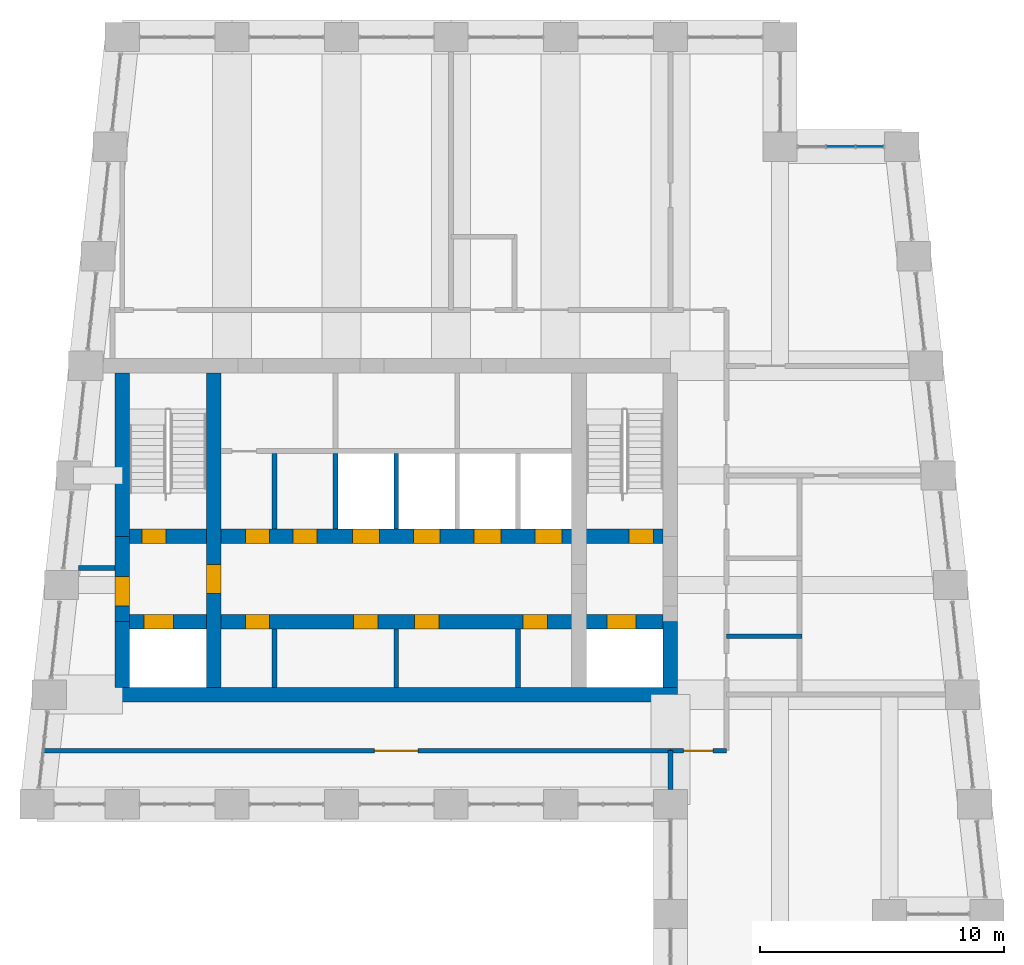
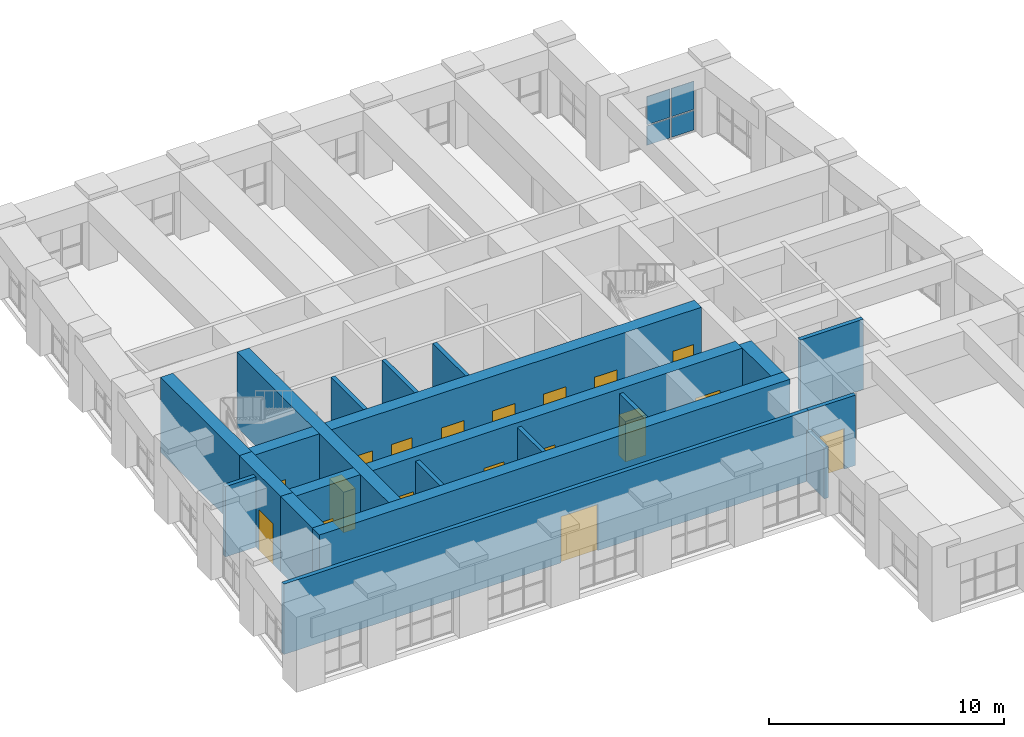
# One storey, part 15 of 18: 19 walls, 18 doors, 4 plates, 18 openings, 1 element without a shape of its own.
"""IFC4 building model written with IfcOpenShell, lengths in metres."""

from ifc_helpers import new_model, si_unit, direction, frame, frame_2d, origin, origin_2d, place, context, subcontext, project, spatial, rectangle, extrude, material, layer, layer_set, type_object, element, fill, aggregate, save


model = new_model("IFC4")

# Units and contexts
model_context = context("Model", 3, precision=1e-05, world=origin(), true_north=direction((0.0, 1.0)))
body_context = subcontext(model_context, "Body", "Model", "MODEL_VIEW")
ifc_project = project(units=[si_unit("LENGTHUNIT", "METRE"), si_unit("AREAUNIT", "SQUARE_METRE"), si_unit("VOLUMEUNIT", "CUBIC_METRE"), si_unit("PLANEANGLEUNIT", "RADIAN"), si_unit("MASSUNIT", "GRAM", prefix="KILO")], contexts=[model_context])

# Site, building, storey
site_placement = place(None, origin())
site = spatial("IfcSite", under=ifc_project, at=site_placement, CompositionType="ELEMENT")
building_placement = place(site_placement, origin())
building = spatial("IfcBuilding", under=site, at=building_placement, Name="Kilele Tower Hotel", CompositionType="ELEMENT")
storey_placement = place(building_placement, frame((0.0, 0.0, 281.89990234375)))
storey = spatial("IfcBuildingStorey", under=building, at=storey_placement, Name="L72", CompositionType="ELEMENT", Elevation=281.89990234375)

# Curtain wall, plates
ifc_material_1 = material(Name="Aluminium curtain wall, clear double glazing", Category="aluminium")
curtain_wall_type = type_object("IfcCurtainWallType", Name="Sky restaurant curtain wall CW-5", PredefinedType="NOTDEFINED", material=ifc_material_1)
curtain_wall_placement = place(storey_placement, origin())
curtain_wall = element("IfcCurtainWall", 1, at=curtain_wall_placement, inside=storey, type_object=curtain_wall_type, Name="Sky restaurant curtain wall CW-5 L72", PredefinedType="NOTDEFINED")
ifc_material_2 = material(Name="Clear double glazing", Category="glass")
ifc_layer_1 = layer(ifc_material_2, 0.028076171875)
ifc_layer_set_1 = layer_set([ifc_layer_1], Name="Clear double glazing")
plate_type = type_object("IfcPlateType", Name="Glazed panel 28 CW-5", PredefinedType="CURTAIN_PANEL", material=ifc_layer_set_1)
plate_1_placement = place(storey_placement, frame((44.18505859375, 36.0, 0.06005859375), z_axis=(0.0, 0.0, 1.0), x_axis=(-1.0, 0.0, 0.0)))
plate_1 = element("IfcPlate", 2, at=plate_1_placement, type_object=plate_type, Name="CW-5 panel 1.1", PredefinedType="CURTAIN_PANEL", context=body_context, shape_type="SweptSolid", body=[
    extrude(rectangle(XDim=1.110107421875, YDim=0.028076171875, at=origin_2d()), origin(), (0.0, 0.0, 1.0), 1.010009765625),
])
plate_2_placement = place(storey_placement, frame((44.18505859375, 36.0, 1.130126953125), z_axis=(0.0, 0.0, 1.0), x_axis=(-1.0, 0.0, 0.0)))
plate_2 = element("IfcPlate", 3, at=plate_2_placement, type_object=plate_type, Name="CW-5 panel 1.2", PredefinedType="CURTAIN_PANEL", context=body_context, shape_type="SweptSolid", body=[
    extrude(rectangle(XDim=1.110107421875, YDim=0.028076171875, at=origin_2d()), origin(), (0.0, 0.0, 1.0), 1.4599609375),
])
plate_3_placement = place(storey_placement, frame((43.0, 36.0, 0.06005859375), z_axis=(0.0, 0.0, 1.0), x_axis=(-1.0, 0.0, 0.0)))
plate_3 = element("IfcPlate", 4, at=plate_3_placement, type_object=plate_type, Name="CW-5 panel 2.1", PredefinedType="CURTAIN_PANEL", context=body_context, shape_type="SweptSolid", body=[
    extrude(rectangle(XDim=1.139892578125, YDim=0.028076171875, at=origin_2d()), origin(), (0.0, 0.0, 1.0), 1.010009765625),
])
plate_4_placement = place(storey_placement, frame((43.0, 36.0, 1.130126953125), z_axis=(0.0, 0.0, 1.0), x_axis=(-1.0, 0.0, 0.0)))
plate_4 = element("IfcPlate", 5, at=plate_4_placement, type_object=plate_type, Name="CW-5 panel 2.2", PredefinedType="CURTAIN_PANEL", context=body_context, shape_type="SweptSolid", body=[
    extrude(rectangle(XDim=1.139892578125, YDim=0.028076171875, at=origin_2d()), origin(), (0.0, 0.0, 1.0), 1.4599609375),
])
aggregate(curtain_wall, [plate_1, plate_2, plate_3, plate_4])

# Wall
ifc_material_3 = material(Name="Concrete C60/75", Category="concrete")
ifc_layer_2 = layer(ifc_material_3, 0.60009765625)
ifc_layer_set_2 = layer_set([ifc_layer_2], Name="Concrete C60/75")
wall_type_1 = type_object("IfcWallType", Name="Core wall 600 C60/75", PredefinedType="SHEAR", material=ifc_layer_set_2)
wall_1_placement = place(storey_placement, frame((13.199951171875, 13.5, 0.0), z_axis=(0.0, 0.0, 1.0), x_axis=(1.0, 0.0, 0.0)))
element("IfcWall", 6, at=wall_1_placement, inside=storey, type_object=wall_type_1, Name="Core wall S L72", PredefinedType="SHEAR", context=body_context, shape_type="SweptSolid", body=[
    extrude(rectangle(XDim=23.10009765625, YDim=0.60009765625, at=frame_2d((11.550048828125, 0.0))), origin(), (0.0, 0.0, 1.0), 3.900146484375),
])

# Wall, opening, door
wall_2_placement = place(storey_placement, frame((17.25, 13.800048828125, 0.0), z_axis=(0.0, 0.0, 1.0), x_axis=(0.0, 1.0, 0.0)))
wall_2 = element("IfcWall", 7, at=wall_2_placement, inside=storey, type_object=wall_type_1, Name="Core wall IW L72", PredefinedType="SHEAR", context=body_context, shape_type="SweptSolid", body=[
    extrude(rectangle(XDim=12.89990234375, YDim=0.60009765625, at=frame_2d((6.449951171875, 0.0))), origin(), (0.0, 0.0, 1.0), 3.900146484375),
])
opening_1_placement = place(wall_2_placement, frame((3.85009765625, 0.0, 0.0)))
opening_1 = element("IfcOpeningElement", 8, at=opening_1_placement, cuts=wall_2, Name="Opening D4", PredefinedType="OPENING", context=body_context, shape_type="SweptSolid", body=[
    extrude(rectangle(XDim=1.199951171875, YDim=2.10009765625, at=frame_2d((0.60009765625, 1.050048828125))), frame((0.0, 0.31005859375, 0.0), z_axis=(0.0, -1.0, 0.0), x_axis=(1.0, 0.0, 0.0)), (0.0, 0.0, 1.0), 0.6201171875),
])
ifc_material_4 = material(Name="Timber door leaf in hardwood frame", Category="wood")
door_type_1 = type_object("IfcDoorType", Name="Firefighting lobby door 1200", OperationType="SINGLE_SWING_LEFT", PredefinedType="DOOR", material=ifc_material_4)
door_1_placement = place(opening_1_placement, origin())
door_1 = element("IfcDoor", 9, at=door_1_placement, inside=storey, type_object=door_type_1, Name="Lobby door L72", OperationType="SINGLE_SWING_LEFT", OverallHeight=2.10009765625, OverallWidth=1.199951171875, PredefinedType="DOOR", context=body_context, shape_type="SweptSolid", body=[
    extrude(rectangle(XDim=1.199951171875, YDim=2.10009765625, at=frame_2d((0.60009765625, 1.050048828125))), frame((0.0, 0.2998046875, 0.0), z_axis=(0.0, -1.0, 0.0), x_axis=(1.0, 0.0, 0.0)), (0.0, 0.0, 1.0), 0.599609375),
])
fill(opening_1, door_1)

# Wall, openings, doors
wall_3_placement = place(storey_placement, frame((13.800048828125, 16.5, 0.0), z_axis=(0.0, 0.0, 1.0), x_axis=(1.0, 0.0, 0.0)))
wall_3 = element("IfcWall", 10, at=wall_3_placement, inside=storey, type_object=wall_type_1, Name="Core wall LS L72", PredefinedType="SHEAR", context=body_context, shape_type="SweptSolid", body=[
    extrude(rectangle(XDim=21.89990234375, YDim=0.60009765625, at=frame_2d((10.949951171875, 0.0))), origin(), (0.0, 0.0, 1.0), 3.900146484375),
])
opening_2_placement = place(wall_3_placement, frame((5.75, 0.0, 0.0), z_axis=(0.0, 0.0, 1.0), x_axis=(-1.0, 0.0, 0.0)))
opening_2 = element("IfcOpeningElement", 11, at=opening_2_placement, cuts=wall_3, Name="Opening D11", PredefinedType="OPENING", context=body_context, shape_type="SweptSolid", body=[
    extrude(rectangle(XDim=1.0, YDim=2.10009765625, at=frame_2d((0.5, 1.050048828125))), frame((0.0, 0.31005859375, 0.0), z_axis=(0.0, -1.0, 0.0), x_axis=(1.0, 0.0, 0.0)), (0.0, 0.0, 1.0), 0.6201171875),
])
opening_3_placement = place(wall_3_placement, frame((10.199951171875, 0.0, 0.0), z_axis=(0.0, 0.0, 1.0), x_axis=(-1.0, 0.0, 0.0)))
opening_3 = element("IfcOpeningElement", 12, at=opening_3_placement, cuts=wall_3, Name="Opening D11", PredefinedType="OPENING", context=body_context, shape_type="SweptSolid", body=[
    extrude(rectangle(XDim=1.0, YDim=2.10009765625, at=frame_2d((0.5, 1.050048828125))), frame((0.0, 0.31005859375, 0.0), z_axis=(0.0, -1.0, 0.0), x_axis=(1.0, 0.0, 0.0)), (0.0, 0.0, 1.0), 0.6201171875),
])
opening_4_placement = place(wall_3_placement, frame((12.699951171875, 0.0, 0.0), z_axis=(0.0, 0.0, 1.0), x_axis=(-1.0, 0.0, 0.0)))
opening_4 = element("IfcOpeningElement", 13, at=opening_4_placement, cuts=wall_3, Name="Opening D11", PredefinedType="OPENING", context=body_context, shape_type="SweptSolid", body=[
    extrude(rectangle(XDim=1.0, YDim=2.10009765625, at=frame_2d((0.5, 1.050048828125))), frame((0.0, 0.31005859375, 0.0), z_axis=(0.0, -1.0, 0.0), x_axis=(1.0, 0.0, 0.0)), (0.0, 0.0, 1.0), 0.6201171875),
])
opening_5_placement = place(wall_3_placement, frame((17.14990234375, 0.0, 0.0), z_axis=(0.0, 0.0, 1.0), x_axis=(-1.0, 0.0, 0.0)))
opening_5 = element("IfcOpeningElement", 14, at=opening_5_placement, cuts=wall_3, Name="Opening D11", PredefinedType="OPENING", context=body_context, shape_type="SweptSolid", body=[
    extrude(rectangle(XDim=1.0, YDim=2.10009765625, at=frame_2d((0.5, 1.050048828125))), frame((0.0, 0.31005859375, 0.0), z_axis=(0.0, -1.0, 0.0), x_axis=(1.0, 0.0, 0.0)), (0.0, 0.0, 1.0), 0.6201171875),
])
opening_6_placement = place(wall_3_placement, frame((0.60009765625, 0.0, 0.0)))
opening_6 = element("IfcOpeningElement", 15, at=opening_6_placement, cuts=wall_3, Name="Opening LD2", PredefinedType="OPENING", context=body_context, shape_type="SweptSolid", body=[
    extrude(rectangle(XDim=1.199951171875, YDim=2.10009765625, at=frame_2d((0.60009765625, 1.050048828125))), frame((0.0, 0.31005859375, 0.0), z_axis=(0.0, -1.0, 0.0), x_axis=(1.0, 0.0, 0.0)), (0.0, 0.0, 1.0), 0.6201171875),
])
opening_7_placement = place(wall_3_placement, frame((19.60009765625, 0.0, 0.0)))
opening_7 = element("IfcOpeningElement", 16, at=opening_7_placement, cuts=wall_3, Name="Opening LD2", PredefinedType="OPENING", context=body_context, shape_type="SweptSolid", body=[
    extrude(rectangle(XDim=1.199951171875, YDim=2.10009765625, at=frame_2d((0.60009765625, 1.050048828125))), frame((0.0, 0.31005859375, 0.0), z_axis=(0.0, -1.0, 0.0), x_axis=(1.0, 0.0, 0.0)), (0.0, 0.0, 1.0), 0.6201171875),
])
ifc_material_5 = material(Name="Timber door leaf in hardwood frame", Category="wood")
door_type_2 = type_object("IfcDoorType", Name="Core store door 1000", OperationType="SINGLE_SWING_LEFT", PredefinedType="DOOR", material=ifc_material_5)
door_2_placement = place(opening_2_placement, origin())
door_2 = element("IfcDoor", 17, at=door_2_placement, inside=storey, type_object=door_type_2, Name="Core room door L1 L72", OperationType="SINGLE_SWING_LEFT", OverallHeight=2.10009765625, OverallWidth=1.0, PredefinedType="DOOR", context=body_context, shape_type="SweptSolid", body=[
    extrude(rectangle(XDim=1.0, YDim=2.10009765625, at=frame_2d((0.5, 1.050048828125))), frame((0.0, 0.2998046875, 0.0), z_axis=(0.0, -1.0, 0.0), x_axis=(1.0, 0.0, 0.0)), (0.0, 0.0, 1.0), 0.599609375),
])
fill(opening_2, door_2)
door_3_placement = place(opening_3_placement, origin())
door_3 = element("IfcDoor", 18, at=door_3_placement, inside=storey, type_object=door_type_2, Name="Core room door L3 L72", OperationType="SINGLE_SWING_LEFT", OverallHeight=2.10009765625, OverallWidth=1.0, PredefinedType="DOOR", context=body_context, shape_type="SweptSolid", body=[
    extrude(rectangle(XDim=1.0, YDim=2.10009765625, at=frame_2d((0.5, 1.050048828125))), frame((0.0, 0.2998046875, 0.0), z_axis=(0.0, -1.0, 0.0), x_axis=(1.0, 0.0, 0.0)), (0.0, 0.0, 1.0), 0.599609375),
])
fill(opening_3, door_3)
door_4_placement = place(opening_4_placement, origin())
door_4 = element("IfcDoor", 19, at=door_4_placement, inside=storey, type_object=door_type_2, Name="Core room door M1 L72", OperationType="SINGLE_SWING_RIGHT", OverallHeight=2.10009765625, OverallWidth=1.0, PredefinedType="DOOR", context=body_context, shape_type="SweptSolid", body=[
    extrude(rectangle(XDim=1.0, YDim=2.10009765625, at=frame_2d((0.5, 1.050048828125))), frame((0.0, 0.2998046875, 0.0), z_axis=(0.0, -1.0, 0.0), x_axis=(1.0, 0.0, 0.0)), (0.0, 0.0, 1.0), 0.599609375),
])
fill(opening_4, door_4)
door_5_placement = place(opening_5_placement, origin())
door_5 = element("IfcDoor", 20, at=door_5_placement, inside=storey, type_object=door_type_2, Name="Core room door M3 L72", OperationType="SINGLE_SWING_RIGHT", OverallHeight=2.10009765625, OverallWidth=1.0, PredefinedType="DOOR", context=body_context, shape_type="SweptSolid", body=[
    extrude(rectangle(XDim=1.0, YDim=2.10009765625, at=frame_2d((0.5, 1.050048828125))), frame((0.0, 0.2998046875, 0.0), z_axis=(0.0, -1.0, 0.0), x_axis=(1.0, 0.0, 0.0)), (0.0, 0.0, 1.0), 0.599609375),
])
fill(opening_5, door_5)
ifc_material_6 = material(Name="Steel lift landing door", Category="steel")
door_type_3 = type_object("IfcDoorType", Name="Firefighting lift landing door 1200", OperationType="SLIDING_TO_LEFT", PredefinedType="DOOR", material=ifc_material_6)
door_6_placement = place(opening_6_placement, origin())
door_6 = element("IfcDoor", 21, at=door_6_placement, inside=storey, type_object=door_type_3, Name="Landing door FFW L72", OperationType="SLIDING_TO_LEFT", OverallHeight=2.10009765625, OverallWidth=1.199951171875, PredefinedType="DOOR", context=body_context, shape_type="SweptSolid", body=[
    extrude(rectangle(XDim=1.199951171875, YDim=2.10009765625, at=frame_2d((0.60009765625, 1.050048828125))), frame((0.0, 0.2998046875, 0.0), z_axis=(0.0, -1.0, 0.0), x_axis=(1.0, 0.0, 0.0)), (0.0, 0.0, 1.0), 0.599609375),
])
fill(opening_6, door_6)
door_7_placement = place(opening_7_placement, origin())
door_7 = element("IfcDoor", 22, at=door_7_placement, inside=storey, type_object=door_type_3, Name="Landing door FFE L72", OperationType="SLIDING_TO_LEFT", OverallHeight=2.10009765625, OverallWidth=1.199951171875, PredefinedType="DOOR", context=body_context, shape_type="SweptSolid", body=[
    extrude(rectangle(XDim=1.199951171875, YDim=2.10009765625, at=frame_2d((0.60009765625, 1.050048828125))), frame((0.0, 0.2998046875, 0.0), z_axis=(0.0, -1.0, 0.0), x_axis=(1.0, 0.0, 0.0)), (0.0, 0.0, 1.0), 0.599609375),
])
fill(opening_7, door_7)

wall_4_placement = place(storey_placement, frame((13.800048828125, 20.0, 0.0), z_axis=(0.0, 0.0, 1.0), x_axis=(1.0, 0.0, 0.0)))
wall_4 = element("IfcWall", 23, at=wall_4_placement, inside=storey, type_object=wall_type_1, Name="Core wall LN L72", PredefinedType="SHEAR", context=body_context, shape_type="SweptSolid", body=[
    extrude(rectangle(XDim=21.89990234375, YDim=0.60009765625, at=frame_2d((10.949951171875, 0.0))), origin(), (0.0, 0.0, 1.0), 3.900146484375),
])
opening_8_placement = place(wall_4_placement, frame((0.5, 0.0, 0.0)))
opening_8 = element("IfcOpeningElement", 24, at=opening_8_placement, cuts=wall_4, Name="Opening D5", PredefinedType="OPENING", context=body_context, shape_type="SweptSolid", body=[
    extrude(rectangle(XDim=1.0, YDim=2.10009765625, at=frame_2d((0.5, 1.050048828125))), frame((0.0, 0.31005859375, 0.0), z_axis=(0.0, -1.0, 0.0), x_axis=(1.0, 0.0, 0.0)), (0.0, 0.0, 1.0), 0.6201171875),
])
opening_9_placement = place(wall_4_placement, frame((20.5, 0.0, 0.0)))
opening_9 = element("IfcOpeningElement", 25, at=opening_9_placement, cuts=wall_4, Name="Opening D5", PredefinedType="OPENING", context=body_context, shape_type="SweptSolid", body=[
    extrude(rectangle(XDim=1.0, YDim=2.10009765625, at=frame_2d((0.5, 1.050048828125))), frame((0.0, 0.31005859375, 0.0), z_axis=(0.0, -1.0, 0.0), x_axis=(1.0, 0.0, 0.0)), (0.0, 0.0, 1.0), 0.6201171875),
])
opening_10_placement = place(wall_4_placement, frame((9.14990234375, 0.0, 0.0)))
opening_10 = element("IfcOpeningElement", 26, at=opening_10_placement, cuts=wall_4, Name="Opening LD1", PredefinedType="OPENING", context=body_context, shape_type="SweptSolid", body=[
    extrude(rectangle(XDim=1.10009765625, YDim=2.10009765625, at=frame_2d((0.550048828125, 1.050048828125))), frame((0.0, 0.31005859375, 0.0), z_axis=(0.0, -1.0, 0.0), x_axis=(1.0, 0.0, 0.0)), (0.0, 0.0, 1.0), 0.6201171875),
])
opening_11_placement = place(wall_4_placement, frame((11.64990234375, 0.0, 0.0)))
opening_11 = element("IfcOpeningElement", 27, at=opening_11_placement, cuts=wall_4, Name="Opening LD1", PredefinedType="OPENING", context=body_context, shape_type="SweptSolid", body=[
    extrude(rectangle(XDim=1.10009765625, YDim=2.10009765625, at=frame_2d((0.550048828125, 1.050048828125))), frame((0.0, 0.31005859375, 0.0), z_axis=(0.0, -1.0, 0.0), x_axis=(1.0, 0.0, 0.0)), (0.0, 0.0, 1.0), 0.6201171875),
])
opening_12_placement = place(wall_4_placement, frame((14.14990234375, 0.0, 0.0)))
opening_12 = element("IfcOpeningElement", 28, at=opening_12_placement, cuts=wall_4, Name="Opening LD1", PredefinedType="OPENING", context=body_context, shape_type="SweptSolid", body=[
    extrude(rectangle(XDim=1.10009765625, YDim=2.10009765625, at=frame_2d((0.550048828125, 1.050048828125))), frame((0.0, 0.31005859375, 0.0), z_axis=(0.0, -1.0, 0.0), x_axis=(1.0, 0.0, 0.0)), (0.0, 0.0, 1.0), 0.6201171875),
])
opening_13_placement = place(wall_4_placement, frame((16.64990234375, 0.0, 0.0)))
opening_13 = element("IfcOpeningElement", 29, at=opening_13_placement, cuts=wall_4, Name="Opening LD1", PredefinedType="OPENING", context=body_context, shape_type="SweptSolid", body=[
    extrude(rectangle(XDim=1.10009765625, YDim=2.10009765625, at=frame_2d((0.550048828125, 1.050048828125))), frame((0.0, 0.31005859375, 0.0), z_axis=(0.0, -1.0, 0.0), x_axis=(1.0, 0.0, 0.0)), (0.0, 0.0, 1.0), 0.6201171875),
])
opening_14_placement = place(wall_4_placement, frame((5.75, 0.0, 0.0), z_axis=(0.0, 0.0, 1.0), x_axis=(-1.0, 0.0, 0.0)))
opening_14 = element("IfcOpeningElement", 30, at=opening_14_placement, cuts=wall_4, Name="Opening D12", PredefinedType="OPENING", context=body_context, shape_type="SweptSolid", body=[
    extrude(rectangle(XDim=1.0, YDim=2.10009765625, at=frame_2d((0.5, 1.050048828125))), frame((0.0, 0.31005859375, 0.0), z_axis=(0.0, -1.0, 0.0), x_axis=(1.0, 0.0, 0.0)), (0.0, 0.0, 1.0), 0.6201171875),
])
opening_15_placement = place(wall_4_placement, frame((6.699951171875, 0.0, 0.0)))
opening_15 = element("IfcOpeningElement", 31, at=opening_15_placement, cuts=wall_4, Name="Opening D11", PredefinedType="OPENING", context=body_context, shape_type="SweptSolid", body=[
    extrude(rectangle(XDim=1.0, YDim=2.10009765625, at=frame_2d((0.5, 1.050048828125))), frame((0.0, 0.31005859375, 0.0), z_axis=(0.0, -1.0, 0.0), x_axis=(1.0, 0.0, 0.0)), (0.0, 0.0, 1.0), 0.6201171875),
])
ifc_material_7 = material(Name="Timber door leaf in hardwood frame", Category="wood")
door_type_4 = type_object("IfcDoorType", Name="Core lobby door 1000", OperationType="SINGLE_SWING_LEFT", PredefinedType="DOOR", material=ifc_material_7)
door_8_placement = place(opening_14_placement, origin())
door_8 = element("IfcDoor", 32, at=door_8_placement, inside=storey, type_object=door_type_4, Name="Core passage door L72", OperationType="SINGLE_SWING_RIGHT", OverallHeight=2.10009765625, OverallWidth=1.0, PredefinedType="DOOR", context=body_context, shape_type="SweptSolid", body=[
    extrude(rectangle(XDim=1.0, YDim=2.10009765625, at=frame_2d((0.5, 1.050048828125))), frame((0.0, 0.2998046875, 0.0), z_axis=(0.0, -1.0, 0.0), x_axis=(1.0, 0.0, 0.0)), (0.0, 0.0, 1.0), 0.599609375),
])
fill(opening_14, door_8)
door_9_placement = place(opening_15_placement, origin())
door_9 = element("IfcDoor", 33, at=door_9_placement, inside=storey, type_object=door_type_2, Name="Core room door S2 L72", OperationType="SINGLE_SWING_LEFT", OverallHeight=2.10009765625, OverallWidth=1.0, PredefinedType="DOOR", context=body_context, shape_type="SweptSolid", body=[
    extrude(rectangle(XDim=1.0, YDim=2.10009765625, at=frame_2d((0.5, 1.050048828125))), frame((0.0, 0.2998046875, 0.0), z_axis=(0.0, -1.0, 0.0), x_axis=(1.0, 0.0, 0.0)), (0.0, 0.0, 1.0), 0.599609375),
])
fill(opening_15, door_9)
ifc_material_8 = material(Name="Steel lift landing door", Category="steel")
door_type_5 = type_object("IfcDoorType", Name="Lift landing door 1100", OperationType="SLIDING_TO_LEFT", PredefinedType="DOOR", material=ifc_material_8)
door_10_placement = place(opening_10_placement, origin())
door_10 = element("IfcDoor", 34, at=door_10_placement, inside=storey, type_object=door_type_5, Name="Landing door H1 L72", OperationType="SLIDING_TO_LEFT", OverallHeight=2.10009765625, OverallWidth=1.10009765625, PredefinedType="DOOR", context=body_context, shape_type="SweptSolid", body=[
    extrude(rectangle(XDim=1.10009765625, YDim=2.10009765625, at=frame_2d((0.550048828125, 1.050048828125))), frame((0.0, 0.2998046875, 0.0), z_axis=(0.0, -1.0, 0.0), x_axis=(1.0, 0.0, 0.0)), (0.0, 0.0, 1.0), 0.599609375),
])
fill(opening_10, door_10)
door_11_placement = place(opening_11_placement, origin())
door_11 = element("IfcDoor", 35, at=door_11_placement, inside=storey, type_object=door_type_5, Name="Landing door H2 L72", OperationType="SLIDING_TO_LEFT", OverallHeight=2.10009765625, OverallWidth=1.10009765625, PredefinedType="DOOR", context=body_context, shape_type="SweptSolid", body=[
    extrude(rectangle(XDim=1.10009765625, YDim=2.10009765625, at=frame_2d((0.550048828125, 1.050048828125))), frame((0.0, 0.2998046875, 0.0), z_axis=(0.0, -1.0, 0.0), x_axis=(1.0, 0.0, 0.0)), (0.0, 0.0, 1.0), 0.599609375),
])
fill(opening_11, door_11)
door_12_placement = place(opening_12_placement, origin())
door_12 = element("IfcDoor", 36, at=door_12_placement, inside=storey, type_object=door_type_5, Name="Landing door H3 L72", OperationType="SLIDING_TO_LEFT", OverallHeight=2.10009765625, OverallWidth=1.10009765625, PredefinedType="DOOR", context=body_context, shape_type="SweptSolid", body=[
    extrude(rectangle(XDim=1.10009765625, YDim=2.10009765625, at=frame_2d((0.550048828125, 1.050048828125))), frame((0.0, 0.2998046875, 0.0), z_axis=(0.0, -1.0, 0.0), x_axis=(1.0, 0.0, 0.0)), (0.0, 0.0, 1.0), 0.599609375),
])
fill(opening_12, door_12)
door_13_placement = place(opening_13_placement, origin())
door_13 = element("IfcDoor", 37, at=door_13_placement, inside=storey, type_object=door_type_5, Name="Landing door G1 L72", OperationType="SLIDING_TO_LEFT", OverallHeight=2.10009765625, OverallWidth=1.10009765625, PredefinedType="DOOR", context=body_context, shape_type="SweptSolid", body=[
    extrude(rectangle(XDim=1.10009765625, YDim=2.10009765625, at=frame_2d((0.550048828125, 1.050048828125))), frame((0.0, 0.2998046875, 0.0), z_axis=(0.0, -1.0, 0.0), x_axis=(1.0, 0.0, 0.0)), (0.0, 0.0, 1.0), 0.599609375),
])
fill(opening_13, door_13)
ifc_material_9 = material(Name="Timber door leaf in hardwood frame", Category="wood")
door_type_6 = type_object("IfcDoorType", Name="Stair door 1000", OperationType="SINGLE_SWING_LEFT", PredefinedType="DOOR", material=ifc_material_9)
door_14_placement = place(opening_8_placement, origin())
door_14 = element("IfcDoor", 38, at=door_14_placement, inside=storey, type_object=door_type_6, Name="Stair 1 door L72", OperationType="SINGLE_SWING_LEFT", OverallHeight=2.10009765625, OverallWidth=1.0, PredefinedType="DOOR", context=body_context, shape_type="SweptSolid", body=[
    extrude(rectangle(XDim=1.0, YDim=2.10009765625, at=frame_2d((0.5, 1.050048828125))), frame((0.0, 0.2998046875, 0.0), z_axis=(0.0, -1.0, 0.0), x_axis=(1.0, 0.0, 0.0)), (0.0, 0.0, 1.0), 0.599609375),
])
fill(opening_8, door_14)
door_15_placement = place(opening_9_placement, origin())
door_15 = element("IfcDoor", 39, at=door_15_placement, inside=storey, type_object=door_type_6, Name="Stair 2 door L72", OperationType="SINGLE_SWING_RIGHT", OverallHeight=2.10009765625, OverallWidth=1.0, PredefinedType="DOOR", context=body_context, shape_type="SweptSolid", body=[
    extrude(rectangle(XDim=1.0, YDim=2.10009765625, at=frame_2d((0.5, 1.050048828125))), frame((0.0, 0.2998046875, 0.0), z_axis=(0.0, -1.0, 0.0), x_axis=(1.0, 0.0, 0.0)), (0.0, 0.0, 1.0), 0.599609375),
])
fill(opening_9, door_15)

# Wall
wall_5_placement = place(storey_placement, frame((13.5, 26.699951171875, 0.0), z_axis=(0.0, 0.0, 1.0), x_axis=(0.0, -1.0, 0.0)))
element("IfcWall", 40, at=wall_5_placement, inside=storey, type_object=wall_type_1, Name="Core wall W1 L72", PredefinedType="SHEAR", context=body_context, shape_type="SweptSolid", body=[
    extrude(rectangle(XDim=6.699951171875, YDim=0.60009765625, at=frame_2d((3.35009765625, 0.0))), origin(), (0.0, 0.0, 1.0), 3.900146484375),
])

# Wall, opening, door
wall_6_placement = place(storey_placement, frame((13.5, 20.0, 0.0), z_axis=(0.0, 0.0, 1.0), x_axis=(0.0, -1.0, 0.0)))
wall_6 = element("IfcWall", 41, at=wall_6_placement, inside=storey, type_object=wall_type_1, Name="Core wall W2 L72", PredefinedType="SHEAR", context=body_context, shape_type="SweptSolid", body=[
    extrude(rectangle(XDim=3.5, YDim=0.60009765625, at=frame_2d((1.75, 0.0))), origin(), (0.0, 0.0, 1.0), 3.900146484375),
])
opening_16_placement = place(wall_6_placement, frame((1.64990234375, 0.0, 0.0)))
opening_16 = element("IfcOpeningElement", 42, at=opening_16_placement, cuts=wall_6, Name="Opening D4", PredefinedType="OPENING", context=body_context, shape_type="SweptSolid", body=[
    extrude(rectangle(XDim=1.199951171875, YDim=2.10009765625, at=frame_2d((0.60009765625, 1.050048828125))), frame((0.0, 0.31005859375, 0.0), z_axis=(0.0, -1.0, 0.0), x_axis=(1.0, 0.0, 0.0)), (0.0, 0.0, 1.0), 0.6201171875),
])
door_16_placement = place(opening_16_placement, origin())
door_16 = element("IfcDoor", 43, at=door_16_placement, inside=storey, type_object=door_type_1, Name="Lobby door L72", OperationType="SINGLE_SWING_RIGHT", OverallHeight=2.10009765625, OverallWidth=1.199951171875, PredefinedType="DOOR", context=body_context, shape_type="SweptSolid", body=[
    extrude(rectangle(XDim=1.199951171875, YDim=2.10009765625, at=frame_2d((0.60009765625, 1.050048828125))), frame((0.0, 0.2998046875, 0.0), z_axis=(0.0, -1.0, 0.0), x_axis=(1.0, 0.0, 0.0)), (0.0, 0.0, 1.0), 0.599609375),
])
fill(opening_16, door_16)

# Walls
for number, where, z_axis, x_axis, name in (
    (44, (13.5, 16.5, 0.0), (0.0, 0.0, 1.0), (0.0, -1.0, 0.0), "Core wall W3 L72"),
    (45, (36.0, 13.800048828125, 0.0), (0.0, 0.0, 1.0), (0.0, 1.0, 0.0), "Core wall E1 L72"),
):
    element("IfcWall", number, at=place(storey_placement, frame(where, z_axis=z_axis, x_axis=x_axis)), inside=storey, type_object=wall_type_1, Name=name, PredefinedType="SHEAR", context=body_context, shape_type="SweptSolid", body=[
        extrude(rectangle(XDim=2.699951171875, YDim=0.60009765625, at=frame_2d((1.35009765625, 0.0))), origin(), (0.0, 0.0, 1.0), 3.900146484375),
    ])

# Wall, opening, door
ifc_material_10 = material(Name="Blockwork, plastered both sides", Category="masonry")
ifc_layer_3 = layer(ifc_material_10, 0.199951171875)
ifc_layer_set_3 = layer_set([ifc_layer_3], Name="Blockwork, plastered both sides")
wall_type_2 = type_object("IfcWallType", Name="Corridor wall 200", PredefinedType="PARTITIONING", material=ifc_layer_set_3)
wall_7_placement = place(storey_placement, frame((36.0, 11.199951171875, 0.0), z_axis=(0.0, 0.0, 1.0), x_axis=(1.0, 0.0, 0.0)))
wall_7 = element("IfcWall", 46, at=wall_7_placement, inside=storey, type_object=wall_type_2, Name="Corridor wall 200 L72", PredefinedType="PARTITIONING", context=body_context, shape_type="SweptSolid", body=[
    extrude(rectangle(XDim=2.300048828125, YDim=0.199951171875, at=frame_2d((1.14990234375, 0.0))), origin(), (0.0, 0.0, 1.0), 3.650146484375),
])
opening_17_placement = place(wall_7_placement, frame((0.550048828125, 0.0, 0.0)))
opening_17 = element("IfcOpeningElement", 47, at=opening_17_placement, cuts=wall_7, Name="Opening D8A", PredefinedType="OPENING", context=body_context, shape_type="SweptSolid", body=[
    extrude(rectangle(XDim=1.199951171875, YDim=2.10009765625, at=frame_2d((0.60009765625, 1.050048828125))), frame((0.0, 0.10986328125, 0.0), z_axis=(0.0, -1.0, 0.0), x_axis=(1.0, 0.0, 0.0)), (0.0, 0.0, 1.0), 0.219970703125),
])
ifc_material_11 = material(Name="Timber door leaf in hardwood frame", Category="wood")
door_type_7 = type_object("IfcDoorType", Name="Door 1200", OperationType="SINGLE_SWING_LEFT", PredefinedType="DOOR", material=ifc_material_11)
door_17_placement = place(opening_17_placement, origin())
door_17 = element("IfcDoor", 48, at=door_17_placement, inside=storey, type_object=door_type_7, Name="Door Chef's table dining room 7209", OperationType="SINGLE_SWING_RIGHT", OverallHeight=2.10009765625, OverallWidth=1.199951171875, PredefinedType="DOOR", context=body_context, shape_type="SweptSolid", body=[
    extrude(rectangle(XDim=1.199951171875, YDim=2.10009765625, at=frame_2d((0.60009765625, 1.050048828125))), frame((0.0, 0.02490234375, 0.0), z_axis=(0.0, -1.0, 0.0), x_axis=(1.0, 0.0, 0.0)), (0.0, 0.0, 1.0), 0.050048828125),
])
fill(opening_17, door_17)

# Walls
ifc_material_12 = material(Name="Blockwork, plastered both sides", Category="masonry")
ifc_layer_4 = layer(ifc_material_12, 0.199951171875)
ifc_layer_set_4 = layer_set([ifc_layer_4], Name="Blockwork, plastered both sides")
wall_type_3 = type_object("IfcWallType", Name="Partition wall 200", PredefinedType="PARTITIONING", material=ifc_layer_set_4)
wall_8_placement = place(storey_placement, frame((36.0, 11.199951171875, 0.0), z_axis=(0.0, 0.0, 1.0), x_axis=(0.0, -1.0, 0.0)))
element("IfcWall", 49, at=wall_8_placement, inside=storey, type_object=wall_type_3, Name="Partition wall 200 L72", PredefinedType="PARTITIONING", context=body_context, shape_type="SweptSolid", body=[
    extrude(rectangle(XDim=1.58984375, YDim=0.199951171875, at=frame_2d((0.794921875, 0.0))), origin(), (0.0, 0.0, 1.0), 2.650146484375),
])
wall_9_placement = place(storey_placement, frame((38.300048828125, 15.89990234375, 0.0), z_axis=(0.0, 0.0, 1.0), x_axis=(1.0, 0.0, 0.0)))
element("IfcWall", 50, at=wall_9_placement, inside=storey, type_object=wall_type_3, Name="Partition wall 200 L72", PredefinedType="PARTITIONING", context=body_context, shape_type="SweptSolid", body=[
    extrude(rectangle(XDim=3.099853515625, YDim=0.199951171875, at=frame_2d((1.5498046875, 0.0))), origin(), (0.0, 0.0, 1.0), 3.650146484375),
])
wall_10_placement = place(storey_placement, frame((13.199951171875, 18.699951171875, 0.0), z_axis=(0.0, 0.0, 1.0), x_axis=(-1.0, 0.0, 0.0)))
element("IfcWall", 51, at=wall_10_placement, inside=storey, type_object=wall_type_3, Name="Partition wall 200 L72", PredefinedType="PARTITIONING", context=body_context, shape_type="SweptSolid", body=[
    extrude(rectangle(XDim=1.5, YDim=0.199951171875, at=frame_2d((0.75, 0.0))), origin(), (0.0, 0.0, 1.0), 3.650146484375),
])

# Wall, opening, door
wall_11_placement = place(storey_placement, frame((10.244384765625, 11.199951171875, 0.0), z_axis=(0.0, 0.0, 1.0), x_axis=(1.0, 0.0, 0.0)))
wall_11 = element("IfcWall", 52, at=wall_11_placement, inside=storey, type_object=wall_type_3, Name="Partition wall 200 L72", PredefinedType="PARTITIONING", context=body_context, shape_type="SweptSolid", body=[
    extrude(rectangle(XDim=25.755615234375, YDim=0.199951171875, at=frame_2d((12.8779296875, 0.0))), origin(), (0.0, 0.0, 1.0), 3.650146484375),
])
opening_18_placement = place(wall_11_placement, frame((15.40576171875, 0.0, 0.0), z_axis=(0.0, 0.0, 1.0), x_axis=(-1.0, 0.0, 0.0)))
opening_18 = element("IfcOpeningElement", 53, at=opening_18_placement, cuts=wall_11, Name="Opening D9", PredefinedType="OPENING", context=body_context, shape_type="SweptSolid", body=[
    extrude(rectangle(XDim=1.800048828125, YDim=2.39990234375, at=frame_2d((0.89990234375, 1.199951171875))), frame((0.0, 0.10986328125, 0.0), z_axis=(0.0, -1.0, 0.0), x_axis=(1.0, 0.0, 0.0)), (0.0, 0.0, 1.0), 0.219970703125),
])
ifc_material_13 = material(Name="Timber door leaf in hardwood frame", Category="wood")
door_type_8 = type_object("IfcDoorType", Name="Double door 1800", OperationType="DOUBLE_DOOR_SINGLE_SWING", PredefinedType="DOOR", material=ifc_material_13)
door_18_placement = place(opening_18_placement, origin())
door_18 = element("IfcDoor", 54, at=door_18_placement, inside=storey, type_object=door_type_8, Name="Door Window counter dining room", OperationType="DOUBLE_DOOR_SINGLE_SWING", OverallHeight=2.39990234375, OverallWidth=1.800048828125, PredefinedType="DOOR", context=body_context, shape_type="SweptSolid", body=[
    extrude(rectangle(XDim=1.800048828125, YDim=2.39990234375, at=frame_2d((0.89990234375, 1.199951171875))), frame((0.0, 0.02490234375, 0.0), z_axis=(0.0, -1.0, 0.0), x_axis=(1.0, 0.0, 0.0)), (0.0, 0.0, 1.0), 0.050048828125),
])
fill(opening_18, door_18)

# Walls
ifc_material_14 = material(Name="Blockwork, fire-rated", Category="masonry")
ifc_layer_5 = layer(ifc_material_14, 0.199951171875)
ifc_layer_set_5 = layer_set([ifc_layer_5], Name="Blockwork, fire-rated")
wall_type_4 = type_object("IfcWallType", Name="Shaft wall 200", PredefinedType="PARTITIONING", material=ifc_layer_set_5)
wall_12_placement = place(storey_placement, frame((19.75, 13.800048828125, 0.0), z_axis=(0.0, 0.0, 1.0), x_axis=(0.0, 1.0, 0.0)))
element("IfcWall", 55, at=wall_12_placement, inside=storey, type_object=wall_type_4, Name="Shaft wall 200 L72", PredefinedType="PARTITIONING", context=body_context, shape_type="SweptSolid", body=[
    extrude(rectangle(XDim=2.39990234375, YDim=0.199951171875, at=frame_2d((1.199951171875, 0.0))), origin(), (0.0, 0.0, 1.0), 3.650146484375),
])
for number, where, z_axis, x_axis, name in (
    (56, (19.75, 20.300048828125, 0.0), (0.0, 0.0, 1.0), (0.0, 1.0, 0.0), "Shaft wall 200 L72"),
    (57, (22.25, 20.300048828125, 0.0), (0.0, 0.0, 1.0), (0.0, 1.0, 0.0), "Shaft wall 200 L72"),
):
    element("IfcWall", number, at=place(storey_placement, frame(where, z_axis=z_axis, x_axis=x_axis)), inside=storey, type_object=wall_type_4, Name=name, PredefinedType="PARTITIONING", context=body_context, shape_type="SweptSolid", body=[
        extrude(rectangle(XDim=3.099853515625, YDim=0.199951171875, at=frame_2d((1.5498046875, 0.0))), origin(), (0.0, 0.0, 1.0), 3.650146484375),
    ])
wall_13_placement = place(storey_placement, frame((24.75, 13.800048828125, 0.0), z_axis=(0.0, 0.0, 1.0), x_axis=(0.0, 1.0, 0.0)))
element("IfcWall", 58, at=wall_13_placement, inside=storey, type_object=wall_type_4, Name="Shaft wall 200 L72", PredefinedType="PARTITIONING", context=body_context, shape_type="SweptSolid", body=[
    extrude(rectangle(XDim=2.39990234375, YDim=0.199951171875, at=frame_2d((1.199951171875, 0.0))), origin(), (0.0, 0.0, 1.0), 3.650146484375),
])
wall_14_placement = place(storey_placement, frame((24.75, 20.300048828125, 0.0), z_axis=(0.0, 0.0, 1.0), x_axis=(0.0, 1.0, 0.0)))
element("IfcWall", 59, at=wall_14_placement, inside=storey, type_object=wall_type_4, Name="Shaft wall 200 L72", PredefinedType="PARTITIONING", context=body_context, shape_type="SweptSolid", body=[
    extrude(rectangle(XDim=3.099853515625, YDim=0.199951171875, at=frame_2d((1.5498046875, 0.0))), origin(), (0.0, 0.0, 1.0), 3.650146484375),
])
wall_15_placement = place(storey_placement, frame((29.75, 13.800048828125, 0.0), z_axis=(0.0, 0.0, 1.0), x_axis=(0.0, 1.0, 0.0)))
element("IfcWall", 60, at=wall_15_placement, inside=storey, type_object=wall_type_4, Name="Shaft wall 200 L72", PredefinedType="PARTITIONING", context=body_context, shape_type="SweptSolid", body=[
    extrude(rectangle(XDim=2.39990234375, YDim=0.199951171875, at=frame_2d((1.199951171875, 0.0))), origin(), (0.0, 0.0, 1.0), 3.650146484375),
])

save(model, "model.ifc")
